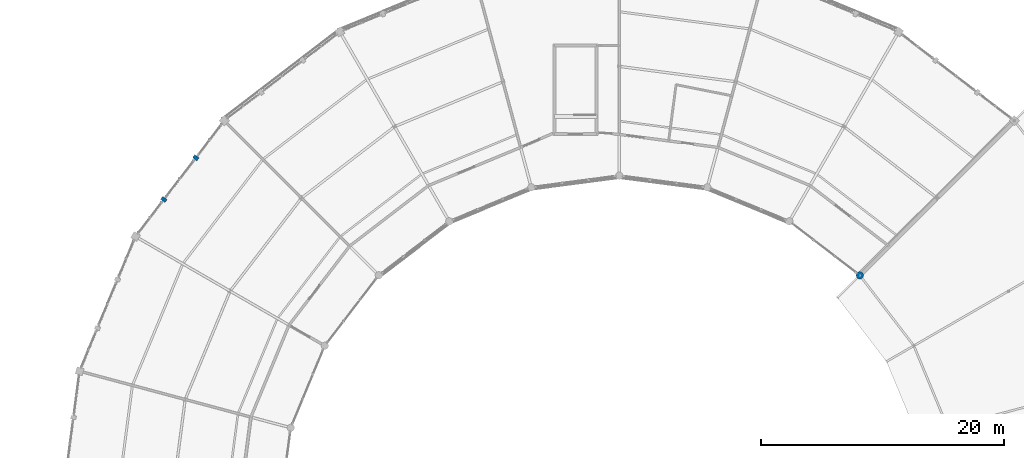
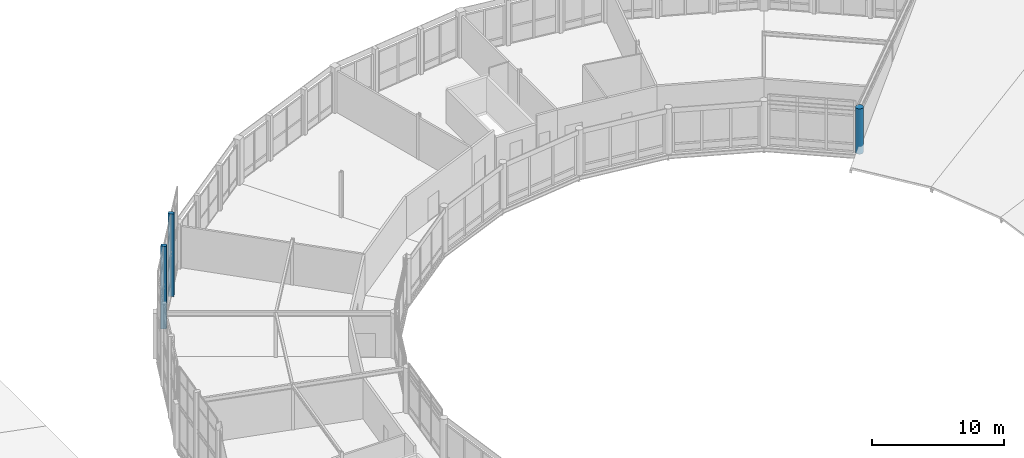
# One storey, part 9 of 200: 3 columns.
"""IFC4 building model written with IfcOpenShell, lengths in metres."""

import ifcopenshell
import ifcopenshell.guid

model = None  # the IFC model being written
_history = None  # IfcOwnerHistory: only IFC2X3 demands one
_inside = {}  # id of a spatial element -> (the spatial element, [elements in it])
_under = {}  # id of a project, library or spatial element -> (it, [spatial elements below it])
_declared = {}  # id of a project -> (the project, [libraries it declares])
_typed = {}  # id of a type object -> (the type object, [elements of that type])
_made_of = {}  # id of a material, layer set ... -> (it, [elements and type objects made of it])


def new_model(schema):
    """Start an empty IFC model of exactly this schema.

    Asked for "IFC4X3", IfcOpenShell would pick the latest addendum, in which some entities
    have other attributes; the version numbers below select the first issue.
    IFC2X3 requires an IfcOwnerHistory on every rooted entity: one is made here for all.
    """
    global model, _history
    if schema == "IFC4X3":
        model = ifcopenshell.file(schema_version=(4, 3, 0, 0))
    else:
        model = ifcopenshell.file(schema=schema)
    _inside.clear()
    _under.clear()
    _declared.clear()
    _typed.clear()
    _made_of.clear()
    _history = None
    if model.schema == "IFC2X3":
        org = make("IfcOrganization", Name="unknown")
        user = make(
            "IfcPersonAndOrganization",
            ThePerson=make("IfcPerson", FamilyName="unknown"),
            TheOrganization=org,
        )
        app = make(
            "IfcApplication",
            ApplicationDeveloper=org,
            Version="unknown",
            ApplicationFullName="unknown",
            ApplicationIdentifier="unknown",
        )
        _history = make(
            "IfcOwnerHistory",
            OwningUser=user,
            OwningApplication=app,
            ChangeAction="ADDED",
            CreationDate=0,
        )
    return model


def make(cls, **values):
    """One entity of the class cls with the attributes given. An attribute that is None is left unset."""
    return model.create_entity(
        cls, **{name: value for name, value in values.items() if value is not None}
    )


def rooted(cls, **values):
    """An entity with a GlobalId (a new one), such as an element, a storey or a relation."""
    return make(cls, GlobalId=ifcopenshell.guid.new(), OwnerHistory=_history, **values)


def si_unit(unit_type, name, prefix=None):
    """IfcSIUnit, for example si_unit("LENGTHUNIT", "METRE", prefix="MILLI")."""
    return make("IfcSIUnit", UnitType=unit_type, Prefix=prefix, Name=name)


def assignment(units):
    """IfcUnitAssignment: the units of a project."""
    return None if units is None else make("IfcUnitAssignment", Units=units)


def point(xyz):
    """IfcCartesianPoint."""
    return None if xyz is None else make("IfcCartesianPoint", Coordinates=xyz)


def direction(xyz):
    """IfcDirection."""
    return None if xyz is None else make("IfcDirection", DirectionRatios=xyz)


def frame(location, z_axis=None, x_axis=None):
    """IfcAxis2Placement3D, a coordinate frame: its origin and axes. An axis left out is left unset."""
    return make(
        "IfcAxis2Placement3D",
        Location=point(location),
        Axis=direction(z_axis),
        RefDirection=direction(x_axis),
    )


def frame_2d(location, x_axis=None):
    """IfcAxis2Placement2D, a coordinate frame in the plane: its origin and x axis."""
    return make(
        "IfcAxis2Placement2D", Location=point(location), RefDirection=direction(x_axis)
    )


def origin():
    """The frame at (0, 0, 0) with its axes left unset."""
    return frame((0.0, 0.0, 0.0))


def origin_2d():
    """The frame at (0, 0) in the plane with its x axis left unset."""
    return frame_2d((0.0, 0.0))


def place(relative_to, where):
    """IfcLocalPlacement: puts the frame where relative to a parent placement (None: the world)."""
    return make(
        "IfcLocalPlacement", PlacementRelTo=relative_to, RelativePlacement=where
    )


def context(
    kind, dimensions, precision=None, world=None, true_north=None, identifier=None
):
    """IfcGeometricRepresentationContext, for example the 3D "Model" context."""
    return make(
        "IfcGeometricRepresentationContext",
        ContextIdentifier=identifier,
        ContextType=kind,
        CoordinateSpaceDimension=dimensions,
        Precision=precision,
        WorldCoordinateSystem=world,
        TrueNorth=true_north,
    )


def subcontext(parent, identifier, kind, view, scale=None):
    """IfcGeometricRepresentationSubContext, for example "Body" below "Model"."""
    return make(
        "IfcGeometricRepresentationSubContext",
        ContextIdentifier=identifier,
        ContextType=kind,
        ParentContext=parent,
        TargetScale=scale,
        TargetView=view,
    )


def project(units=None, contexts=None):
    """IfcProject with its units and contexts."""
    return rooted(
        "IfcProject",
        Name="project",
        RepresentationContexts=contexts,
        UnitsInContext=assignment(units),
    )


def spatial(cls, under=None, at=None, **own):
    """A site, building, storey or space (cls), placed at a placement, below another one or the project."""
    s = rooted(cls, ObjectPlacement=at, **own)
    if under is not None:
        _under.setdefault(under.id(), (under, []))[1].append(s)
    return s


def profile(cls, at=None, kind="AREA", **sizes):
    """A parametric profile (cls). Its sizes go by their IFC names, for example OverallWidth=200.0."""
    return make(cls, ProfileType=kind, Position=at, **sizes)


def rectangle(**sizes):
    """IfcRectangleProfileDef."""
    return profile("IfcRectangleProfileDef", **sizes)


def circle(**sizes):
    """IfcCircleProfileDef."""
    return profile("IfcCircleProfileDef", **sizes)


def extrude(swept, where, along, depth):
    """IfcExtrudedAreaSolid: the profile swept, set in the frame where, extruded along a direction by depth."""
    return make(
        "IfcExtrudedAreaSolid",
        SweptArea=swept,
        Position=where,
        ExtrudedDirection=direction(along),
        Depth=depth,
    )


def shape(context_of_items, identifier, shape_type, items):
    """IfcShapeRepresentation: the items that make up one representation, for example the "Body"."""
    return make(
        "IfcShapeRepresentation",
        ContextOfItems=context_of_items,
        RepresentationIdentifier=identifier,
        RepresentationType=shape_type,
        Items=items,
    )


def material(Name=None, Category=None):
    """IfcMaterial."""
    return make("IfcMaterial", Name=Name, Category=Category)


def material_profile(
    of_material, cross_section, Name=None, Category=None, Priority=None
):
    """IfcMaterialProfile: a cross section and its material."""
    return make(
        "IfcMaterialProfile",
        Name=Name,
        Material=of_material,
        Profile=cross_section,
        Priority=Priority,
        Category=Category,
    )


def profile_set(profiles, Name=None, composite=None):
    """IfcMaterialProfileSet."""
    return make(
        "IfcMaterialProfileSet",
        Name=Name,
        MaterialProfiles=profiles,
        CompositeProfile=composite,
    )


def made_of(thing, what):
    """Note that an element or type object is made of a material, layer set ...; save() writes the relation."""
    if what is not None:
        _made_of.setdefault(what.id(), (what, []))[1].append(thing)
    return thing


def type_object(cls, material=None, **own):
    """A type object (cls), such as IfcWallType, which elements share."""
    return made_of(rooted(cls, **own), material)


def element(
    cls,
    number,
    at=None,
    inside=None,
    cuts=None,
    type_object=None,
    material=None,
    context=None,
    identifier="Body",
    shape_type=None,
    held_by="IfcProductDefinitionShape",
    body=None,
    shapes=None,
    **own,
):
    """One element of the class cls, such as IfcWall. Its Tag is "e" and its number.

    at: its placement. inside: the storey or other place that contains it. cuts: it is an
    opening in that element (IfcRelVoidsElement). A single representation is given by context,
    identifier, shape_type and body (its items); several are given by shapes. held_by: the class
    of the entity that holds the representations. save() writes the other relations.
    """
    e = rooted(cls, Tag="e%d" % number, ObjectPlacement=at, **own)
    if body is not None:
        shapes = [shape(context, identifier, shape_type, body)]
    if shapes is not None:
        e.Representation = make(held_by, Representations=shapes)
    if inside is not None:
        _inside.setdefault(inside.id(), (inside, []))[1].append(e)
    if cuts is not None:
        rooted(
            "IfcRelVoidsElement", RelatingBuildingElement=cuts, RelatedOpeningElement=e
        )
    if type_object is not None:
        _typed.setdefault(type_object.id(), (type_object, []))[1].append(e)
    return made_of(e, material)


def aggregate(whole, parts):
    """IfcRelAggregates: a whole, such as a stair, and the parts it consists of."""
    return rooted("IfcRelAggregates", RelatingObject=whole, RelatedObjects=parts)


def save(model, path):
    """Write the relations noted so far, then the file.

    IfcRelAggregates (storeys below a building ...), IfcRelContainedInSpatialStructure (elements
    in a storey), IfcRelDefinesByType, IfcRelAssociatesMaterial and IfcRelDeclares: one each for
    every whole, place, type object, material and project.
    """
    for whole, parts in _under.values():
        aggregate(whole, parts)
    for where, things in _inside.values():
        rooted(
            "IfcRelContainedInSpatialStructure",
            RelatedElements=things,
            RelatingStructure=where,
        )
    for kind, things in _typed.values():
        rooted("IfcRelDefinesByType", RelatedObjects=things, RelatingType=kind)
    for what, things in _made_of.values():
        rooted("IfcRelAssociatesMaterial", RelatedObjects=things, RelatingMaterial=what)
    for by, libraries in _declared.values():
        rooted("IfcRelDeclares", RelatingContext=by, RelatedDefinitions=libraries)
    model.write(path)


model = new_model("IFC4")

# Units and contexts
model_context = context("Model", 3, precision=1e-05, world=origin(), true_north=direction((0.0, 1.0)))
body_context = subcontext(model_context, "Body", "Model", "MODEL_VIEW")
ifc_project = project(units=[si_unit("LENGTHUNIT", "METRE"), si_unit("AREAUNIT", "SQUARE_METRE"), si_unit("VOLUMEUNIT", "CUBIC_METRE"), si_unit("PLANEANGLEUNIT", "RADIAN"), si_unit("MASSUNIT", "GRAM", prefix="KILO")], contexts=[model_context])

# Site, building, storey
site_placement = place(None, origin())
site = spatial("IfcSite", under=ifc_project, at=site_placement, CompositionType="ELEMENT")
building_placement = place(site_placement, origin())
building = spatial("IfcBuilding", under=site, at=building_placement, Name="Vondelvale Polytechnic", CompositionType="ELEMENT")
storey_placement = place(building_placement, frame((0.0, 0.0, 13.800048828125)))
storey = spatial("IfcBuildingStorey", under=building, at=storey_placement, Name="L03", CompositionType="ELEMENT", Elevation=13.800048828125)

# Columns
ifc_material_1 = material(Name="Glulam GL18 structural Tasmanian oak (fb = 42 MPa)", Category="wood")
ifc_material_profile_1 = material_profile(ifc_material_1, rectangle(XDim=0.300048828125, YDim=0.449951171875, at=origin_2d()), Name="GL-POST-300x450")
ifc_profile_set_1 = profile_set([ifc_material_profile_1], Name="Glulam GL18 structural Tasmanian oak (fb = 42 MPa)")
column_type_1 = type_object("IfcColumnType", Name="COL-GLULAM-300x450", PredefinedType="PILASTER", material=ifc_profile_set_1)
for number, where, z_axis, x_axis, name in (
    (1, (67.1337890625, 101.478271484375, 0.0), (0.0, 0.0, 1.0), (0.608761429009, 0.793353340291, 0.0), "L03 ring outer glulam timber post C09-P1"),
    (2, (64.502197265625, 98.048583984375, 0.0), (0.0, 0.0, 1.0), (0.608761429009, 0.793353340291, 0.0), "L03 ring outer glulam timber post C09-P2"),
):
    element("IfcColumn", number, at=place(storey_placement, frame(where, z_axis=z_axis, x_axis=x_axis)), inside=storey, type_object=column_type_1, Name=name, PredefinedType="PILASTER", context=body_context, shape_type="SweptSolid", body=[
        extrude(rectangle(XDim=0.300048828125, YDim=0.449951171875, at=origin_2d()), origin(), (0.0, 0.0, 1.0), 7.6513671875),
    ])
ifc_material_2 = material(Name="Concrete N50 (f'c = 50 MPa)", Category="concrete")
ifc_material_profile_2 = material_profile(ifc_material_2, circle(Radius=0.300048828125, at=origin_2d()), Name="RC-COL-D600")
ifc_profile_set_2 = profile_set([ifc_material_profile_2], Name="Concrete N50 (f'c = 50 MPa)")
column_type_2 = type_object("IfcColumnType", Name="COL-RCD600", PredefinedType="COLUMN", material=ifc_profile_set_2)
column_placement = place(storey_placement, frame((121.799072265625, 91.799072265625, 0.0), z_axis=(0.0, 0.0, 1.0), x_axis=(0.707106781187, 0.707106781187, 0.0)))
element("IfcColumn", 3, at=column_placement, inside=storey, type_object=column_type_2, Name="L03 courtyard ring column S03-RI", PredefinedType="COLUMN", context=body_context, shape_type="SweptSolid", body=[
    extrude(circle(Radius=0.300048828125, at=origin_2d()), origin(), (0.0, 0.0, 1.0), 4.199951171875),
])

save(model, "model.ifc")
